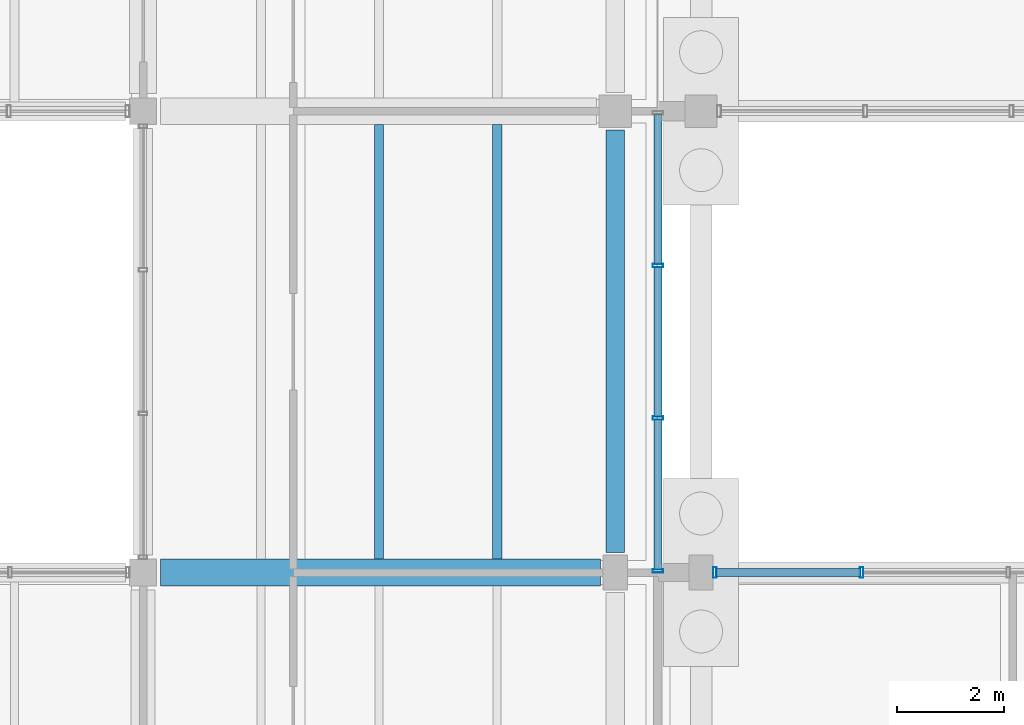
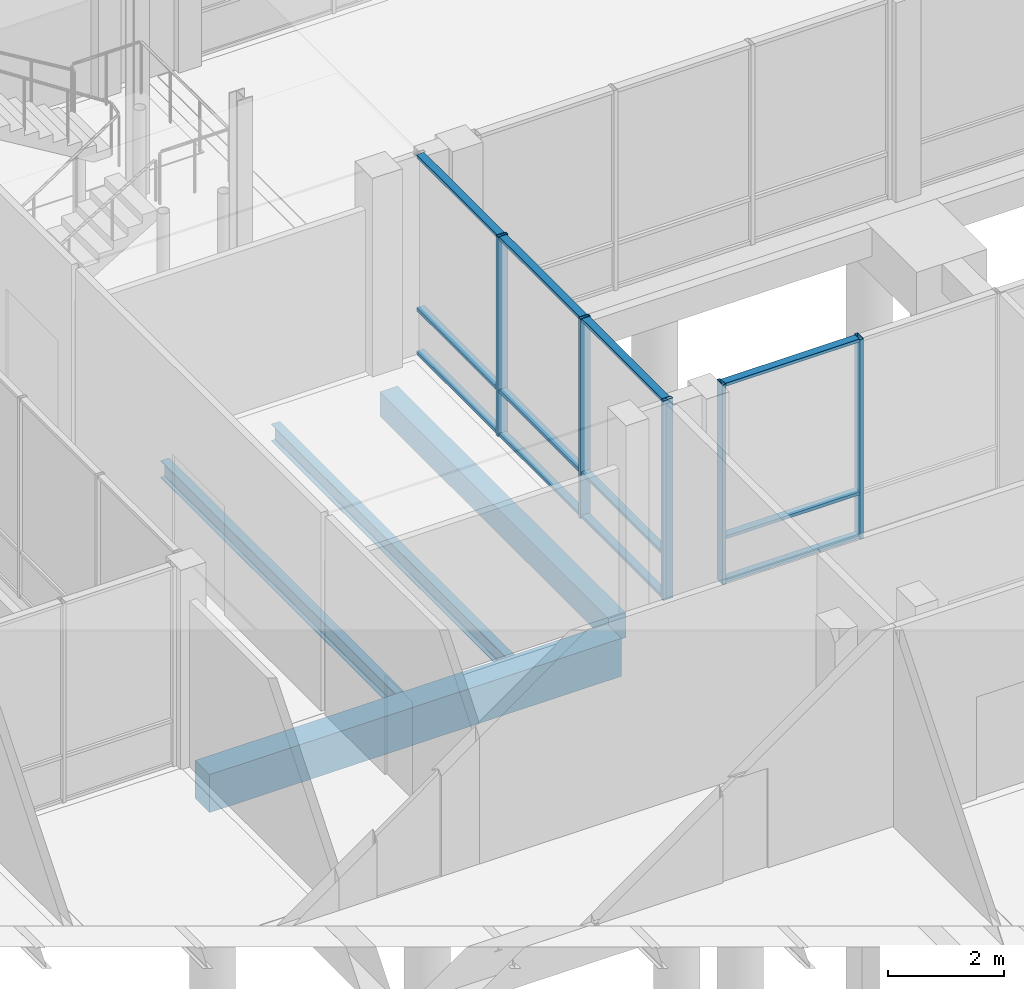
# One storey, part 47 of 104: 17 members, 4 beams, 2 elements without a shape of their own.
"""IFC4 building model written with IfcOpenShell, lengths in metres."""

from ifc_helpers import new_model, si_unit, direction, frame, origin, origin_2d, place, context, subcontext, project, spatial, rectangle, hollow_rectangle, i_section, extrude, material, material_profile, profile_set, type_object, element, aggregate, save


model = new_model("IFC4")

# Units and contexts
model_context = context("Model", 3, precision=1e-05, world=origin(), true_north=direction((0.0, 1.0)))
body_context = subcontext(model_context, "Body", "Model", "MODEL_VIEW")
ifc_project = project(units=[si_unit("LENGTHUNIT", "METRE"), si_unit("AREAUNIT", "SQUARE_METRE"), si_unit("VOLUMEUNIT", "CUBIC_METRE"), si_unit("PLANEANGLEUNIT", "RADIAN"), si_unit("MASSUNIT", "GRAM", prefix="KILO")], contexts=[model_context])

# Site, building, storey
site_placement = place(None, origin())
site = spatial("IfcSite", under=ifc_project, at=site_placement, CompositionType="ELEMENT")
building_placement = place(site_placement, origin())
building = spatial("IfcBuilding", under=site, at=building_placement, Name="Hawrajan Terrace Health Centre", CompositionType="ELEMENT")
storey_placement = place(building_placement, origin())
storey = spatial("IfcBuildingStorey", under=building, at=storey_placement, Name="L00", CompositionType="ELEMENT", Elevation=0.0)

# Curtain wall, members
ifc_material_1 = material(Name="Anodized bronze aluminium and low-E solar glazing", Category="aluminium")
curtain_wall_type_1 = type_object("IfcCurtainWallType", Name="CW_CourtNS_SeriesC1", PredefinedType="USERDEFINED", material=ifc_material_1)
curtain_wall_1_placement = place(storey_placement, origin())
curtain_wall_1 = element("IfcCurtainWall", 1, at=curtain_wall_1_placement, inside=storey, type_object=curtain_wall_type_1, Name="Curtain wall CW-L00-031", ObjectType="UNITISED CURTAIN WALL", PredefinedType="USERDEFINED")
ifc_material_2 = material(Name="Anodized bronze aluminium 6063-T6", Category="aluminium")
ifc_material_profile_1 = material_profile(ifc_material_2, hollow_rectangle(XDim=0.06494140625, YDim=0.199951171875, WallThickness=0.00439453125, at=origin_2d()), Name="CW MUL 65x200")
ifc_profile_set_1 = profile_set([ifc_material_profile_1], Name="Anodized bronze aluminium 6063-T6")
member_type_1 = type_object("IfcMemberType", Name="CWMullion_65x200", PredefinedType="MULLION", material=ifc_profile_set_1)
member_1_placement = place(storey_placement, frame((71.794921875, 18.632568359375, -0.0048828125), z_axis=(0.0, 0.0, 1.0), x_axis=(0.0, 1.0, 0.0)))
member_1 = element("IfcMember", 2, at=member_1_placement, type_object=member_type_1, Name="Mullion CW-L00-031-M1", PredefinedType="MULLION", context=body_context, shape_type="SweptSolid", body=[
    extrude(hollow_rectangle(XDim=0.06494140625, YDim=0.199951171875, WallThickness=0.00439453125, at=origin_2d()), origin(), (0.0, 0.0, 1.0), 4.2099609375),
])
member_2_placement = place(storey_placement, frame((71.794921875, 21.4775390625, -0.0048828125), z_axis=(0.0, 0.0, 1.0), x_axis=(0.0, 1.0, 0.0)))
member_2 = element("IfcMember", 3, at=member_2_placement, type_object=member_type_1, Name="Mullion CW-L00-031-M2", PredefinedType="MULLION", context=body_context, shape_type="SweptSolid", body=[
    extrude(hollow_rectangle(XDim=0.06494140625, YDim=0.199951171875, WallThickness=0.00439453125, at=origin_2d()), origin(), (0.0, 0.0, 1.0), 4.2099609375),
])
member_3_placement = place(storey_placement, frame((71.794921875, 24.322509765625, -0.0048828125), z_axis=(0.0, 0.0, 1.0), x_axis=(0.0, 1.0, 0.0)))
member_3 = element("IfcMember", 4, at=member_3_placement, type_object=member_type_1, Name="Mullion CW-L00-031-M3", PredefinedType="MULLION", context=body_context, shape_type="SweptSolid", body=[
    extrude(hollow_rectangle(XDim=0.06494140625, YDim=0.199951171875, WallThickness=0.00439453125, at=origin_2d()), origin(), (0.0, 0.0, 1.0), 4.2099609375),
])

curtain_wall_type_2 = type_object("IfcCurtainWallType", Name="CW_Hall_SeriesD1", PredefinedType="USERDEFINED", material=ifc_material_1)
curtain_wall_2_placement = place(storey_placement, origin())
curtain_wall_2 = element("IfcCurtainWall", 5, at=curtain_wall_2_placement, inside=storey, type_object=curtain_wall_type_2, Name="Curtain wall CW-L00-034", ObjectType="UNITISED CURTAIN WALL", PredefinedType="USERDEFINED")
member_4_placement = place(storey_placement, frame((72.857421875, 18.60009765625, -0.0048828125), z_axis=(0.0, 0.0, 1.0), x_axis=(1.0, 0.0, 0.0)))
member_4 = element("IfcMember", 6, at=member_4_placement, type_object=member_type_1, Name="Mullion CW-L00-034-M1", PredefinedType="MULLION", context=body_context, shape_type="SweptSolid", body=[
    extrude(hollow_rectangle(XDim=0.06494140625, YDim=0.199951171875, WallThickness=0.00439453125, at=origin_2d()), origin(), (0.0, 0.0, 1.0), 4.2099609375),
])
member_5_placement = place(storey_placement, frame((75.59423828125, 18.60009765625, -0.0048828125), z_axis=(0.0, 0.0, 1.0), x_axis=(1.0, 0.0, 0.0)))
member_5 = element("IfcMember", 7, at=member_5_placement, type_object=member_type_1, Name="Mullion CW-L00-034-M2", PredefinedType="MULLION", context=body_context, shape_type="SweptSolid", body=[
    extrude(hollow_rectangle(XDim=0.06494140625, YDim=0.199951171875, WallThickness=0.00439453125, at=origin_2d()), origin(), (0.0, 0.0, 1.0), 4.2099609375),
])

# Member
ifc_material_profile_2 = material_profile(ifc_material_2, hollow_rectangle(XDim=0.06494140625, YDim=0.14990234375, WallThickness=0.00390625, at=origin_2d()), Name="CW TRN 65x150")
ifc_profile_set_2 = profile_set([ifc_material_profile_2], Name="Anodized bronze aluminium 6063-T6")
member_type_2 = type_object("IfcMemberType", Name="CWTransom_65x150", PredefinedType="USERDEFINED", material=ifc_profile_set_2)
member_6_placement = place(storey_placement, frame((71.794921875, 18.658935546875, 0.032470703125), z_axis=(0.0, 1.0, 0.0), x_axis=(0.0, 0.0, 1.0)))
member_6 = element("IfcMember", 8, at=member_6_placement, type_object=member_type_2, Name="Transom CW-L00-031-T1-1", ObjectType="TRANSOM", PredefinedType="USERDEFINED", context=body_context, shape_type="SweptSolid", body=[
    extrude(hollow_rectangle(XDim=0.06494140625, YDim=0.14990234375, WallThickness=0.00390625, at=origin_2d()), origin(), (0.0, 0.0, 1.0), 2.7919921875),
])

member_7_placement = place(storey_placement, frame((71.794921875, 18.658935546875, 0.949951171875), z_axis=(0.0, 1.0, 0.0), x_axis=(0.0, 0.0, 1.0)))
member_7 = element("IfcMember", 9, at=member_7_placement, type_object=member_type_2, Name="Transom CW-L00-031-T1-2", ObjectType="TRANSOM", PredefinedType="USERDEFINED", context=body_context, shape_type="SweptSolid", body=[
    extrude(hollow_rectangle(XDim=0.06494140625, YDim=0.14990234375, WallThickness=0.00390625, at=origin_2d()), origin(), (0.0, 0.0, 1.0), 2.7919921875),
])

member_8_placement = place(storey_placement, frame((71.794921875, 18.658935546875, 4.16748046875), z_axis=(0.0, 1.0, 0.0), x_axis=(0.0, 0.0, 1.0)))
member_8 = element("IfcMember", 10, at=member_8_placement, type_object=member_type_2, Name="Transom CW-L00-031-T1-3", ObjectType="TRANSOM", PredefinedType="USERDEFINED", context=body_context, shape_type="SweptSolid", body=[
    extrude(hollow_rectangle(XDim=0.06494140625, YDim=0.14990234375, WallThickness=0.00390625, at=origin_2d()), origin(), (0.0, 0.0, 1.0), 2.7919921875),
])

member_9_placement = place(storey_placement, frame((71.794921875, 21.50390625, 0.032470703125), z_axis=(0.0, 1.0, 0.0), x_axis=(0.0, 0.0, 1.0)))
member_9 = element("IfcMember", 11, at=member_9_placement, type_object=member_type_2, Name="Transom CW-L00-031-T2-1", ObjectType="TRANSOM", PredefinedType="USERDEFINED", context=body_context, shape_type="SweptSolid", body=[
    extrude(hollow_rectangle(XDim=0.06494140625, YDim=0.14990234375, WallThickness=0.00390625, at=origin_2d()), origin(), (0.0, 0.0, 1.0), 2.7919921875),
])

member_10_placement = place(storey_placement, frame((71.794921875, 21.50390625, 0.949951171875), z_axis=(0.0, 1.0, 0.0), x_axis=(0.0, 0.0, 1.0)))
member_10 = element("IfcMember", 12, at=member_10_placement, type_object=member_type_2, Name="Transom CW-L00-031-T2-2", ObjectType="TRANSOM", PredefinedType="USERDEFINED", context=body_context, shape_type="SweptSolid", body=[
    extrude(hollow_rectangle(XDim=0.06494140625, YDim=0.14990234375, WallThickness=0.00390625, at=origin_2d()), origin(), (0.0, 0.0, 1.0), 2.7919921875),
])

member_11_placement = place(storey_placement, frame((71.794921875, 21.50390625, 4.16748046875), z_axis=(0.0, 1.0, 0.0), x_axis=(0.0, 0.0, 1.0)))
member_11 = element("IfcMember", 13, at=member_11_placement, type_object=member_type_2, Name="Transom CW-L00-031-T2-3", ObjectType="TRANSOM", PredefinedType="USERDEFINED", context=body_context, shape_type="SweptSolid", body=[
    extrude(hollow_rectangle(XDim=0.06494140625, YDim=0.14990234375, WallThickness=0.00390625, at=origin_2d()), origin(), (0.0, 0.0, 1.0), 2.7919921875),
])

member_12_placement = place(storey_placement, frame((71.794921875, 24.34912109375, 0.032470703125), z_axis=(0.0, 1.0, 0.0), x_axis=(0.0, 0.0, 1.0)))
member_12 = element("IfcMember", 14, at=member_12_placement, type_object=member_type_2, Name="Transom CW-L00-031-T3-1", ObjectType="TRANSOM", PredefinedType="USERDEFINED", context=body_context, shape_type="SweptSolid", body=[
    extrude(hollow_rectangle(XDim=0.06494140625, YDim=0.14990234375, WallThickness=0.00390625, at=origin_2d()), origin(), (0.0, 0.0, 1.0), 2.7919921875),
])

member_13_placement = place(storey_placement, frame((71.794921875, 24.34912109375, 0.949951171875), z_axis=(0.0, 1.0, 0.0), x_axis=(0.0, 0.0, 1.0)))
member_13 = element("IfcMember", 15, at=member_13_placement, type_object=member_type_2, Name="Transom CW-L00-031-T3-2", ObjectType="TRANSOM", PredefinedType="USERDEFINED", context=body_context, shape_type="SweptSolid", body=[
    extrude(hollow_rectangle(XDim=0.06494140625, YDim=0.14990234375, WallThickness=0.00390625, at=origin_2d()), origin(), (0.0, 0.0, 1.0), 2.7919921875),
])

member_14_placement = place(storey_placement, frame((71.794921875, 24.34912109375, 4.16748046875), z_axis=(0.0, 1.0, 0.0), x_axis=(0.0, 0.0, 1.0)))
member_14 = element("IfcMember", 16, at=member_14_placement, type_object=member_type_2, Name="Transom CW-L00-031-T3-3", ObjectType="TRANSOM", PredefinedType="USERDEFINED", context=body_context, shape_type="SweptSolid", body=[
    extrude(hollow_rectangle(XDim=0.06494140625, YDim=0.14990234375, WallThickness=0.00390625, at=origin_2d()), origin(), (0.0, 0.0, 1.0), 2.7919921875),
])

aggregate(curtain_wall_1, [member_1, member_2, member_3, member_6, member_7, member_8, member_9, member_10, member_11, member_12, member_13, member_14])

member_15_placement = place(storey_placement, frame((72.884033203125, 18.60009765625, 0.032470703125), z_axis=(1.0, 0.0, 0.0), x_axis=(0.0, 0.0, 1.0)))
member_15 = element("IfcMember", 17, at=member_15_placement, type_object=member_type_2, Name="Transom CW-L00-034-T1-1", ObjectType="TRANSOM", PredefinedType="USERDEFINED", context=body_context, shape_type="SweptSolid", body=[
    extrude(hollow_rectangle(XDim=0.06494140625, YDim=0.14990234375, WallThickness=0.00390625, at=origin_2d()), origin(), (0.0, 0.0, 1.0), 2.68359375),
])

member_16_placement = place(storey_placement, frame((72.884033203125, 18.60009765625, 0.949951171875), z_axis=(1.0, 0.0, 0.0), x_axis=(0.0, 0.0, 1.0)))
member_16 = element("IfcMember", 18, at=member_16_placement, type_object=member_type_2, Name="Transom CW-L00-034-T1-2", ObjectType="TRANSOM", PredefinedType="USERDEFINED", context=body_context, shape_type="SweptSolid", body=[
    extrude(hollow_rectangle(XDim=0.06494140625, YDim=0.14990234375, WallThickness=0.00390625, at=origin_2d()), origin(), (0.0, 0.0, 1.0), 2.68359375),
])

member_17_placement = place(storey_placement, frame((72.884033203125, 18.60009765625, 4.16748046875), z_axis=(1.0, 0.0, 0.0), x_axis=(0.0, 0.0, 1.0)))
member_17 = element("IfcMember", 19, at=member_17_placement, type_object=member_type_2, Name="Transom CW-L00-034-T1-3", ObjectType="TRANSOM", PredefinedType="USERDEFINED", context=body_context, shape_type="SweptSolid", body=[
    extrude(hollow_rectangle(XDim=0.06494140625, YDim=0.14990234375, WallThickness=0.00390625, at=origin_2d()), origin(), (0.0, 0.0, 1.0), 2.68359375),
])

aggregate(curtain_wall_2, [member_4, member_5, member_15, member_16, member_17])

# Beams
ifc_material_3 = material(Name="Concrete C40/50", Category="concrete")
ifc_material_profile_3 = material_profile(ifc_material_3, rectangle(XDim=0.5, YDim=0.800048828125, at=origin_2d()), Name="RC BM 500x800")
ifc_profile_set_3 = profile_set([ifc_material_profile_3], Name="Concrete C40/50")
beam_type_1 = type_object("IfcBeamType", Name="RCGirder_500x800", PredefinedType="BEAM", material=ifc_profile_set_3)
beam_1_placement = place(storey_placement, frame((62.52490234375, 18.60009765625, -0.699951171875), z_axis=(1.0, 0.0, 0.0), x_axis=(0.0, 1.0, 0.0)))
element("IfcBeam", 20, at=beam_1_placement, inside=storey, type_object=beam_type_1, Name="Beam BM-X-L00-W-09-Y3", PredefinedType="BEAM", context=body_context, shape_type="SweptSolid", body=[
    extrude(rectangle(XDim=0.5, YDim=0.800048828125, at=origin_2d()), origin(), (0.0, 0.0, 1.0), 8.2001953125),
])
ifc_material_profile_4 = material_profile(ifc_material_3, rectangle(XDim=0.35009765625, YDim=0.52001953125, at=origin_2d()), Name="RC SP 350x520")
ifc_profile_set_4 = profile_set([ifc_material_profile_4], Name="Concrete C40/50")
beam_type_2 = type_object("IfcBeamType", Name="RCSpandrel_350x520", PredefinedType="SPANDREL", material=ifc_profile_set_4)
beam_2_placement = place(storey_placement, frame((71.0, 18.97509765625, -0.56005859375), z_axis=(0.0, 1.0, 0.0), x_axis=(-1.0, 0.0, 0.0)))
element("IfcBeam", 21, at=beam_2_placement, inside=storey, type_object=beam_type_2, Name="Beam BM-Y-L00-W-X10-3", PredefinedType="SPANDREL", context=body_context, shape_type="SweptSolid", body=[
    extrude(rectangle(XDim=0.35009765625, YDim=0.52001953125, at=origin_2d()), origin(), (0.0, 0.0, 1.0), 7.875),
])
ifc_material_4 = material(Name="Steel S355", Category="steel")
ifc_material_profile_5 = material_profile(ifc_material_4, i_section(OverallWidth=0.169921875, OverallDepth=0.360107421875, WebThickness=0.008056640625, FlangeThickness=0.0126953125, FilletRadius=0.01806640625, at=origin_2d()), Name="IPE 360")
ifc_profile_set_5 = profile_set([ifc_material_profile_5], Name="Steel S355")
beam_type_3 = type_object("IfcBeamType", Name="SteelBeam_IPE360", PredefinedType="BEAM", material=ifc_profile_set_5)
for number, where, z_axis, x_axis, name in (
    (22, (66.60009765625, 18.85009765625, -0.47998046875), (0.0, 1.0, 0.0), (-1.0, 0.0, 0.0), "Secondary joist JST-L00-W-09-3-2"),
    (23, (68.800048828125, 18.85009765625, -0.47998046875), (0.0, 1.0, 0.0), (-1.0, 0.0, 0.0), "Secondary joist JST-L00-W-09-3-3"),
):
    element("IfcBeam", number, at=place(storey_placement, frame(where, z_axis=z_axis, x_axis=x_axis)), inside=storey, type_object=beam_type_3, Name=name, PredefinedType="BEAM", context=body_context, shape_type="SweptSolid", body=[
        extrude(i_section(OverallWidth=0.169921875, OverallDepth=0.360107421875, WebThickness=0.008056640625, FlangeThickness=0.0126953125, FilletRadius=0.01806640625, at=origin_2d()), origin(), (0.0, 0.0, 1.0), 8.099853515625),
    ])

save(model, "model.ifc")
